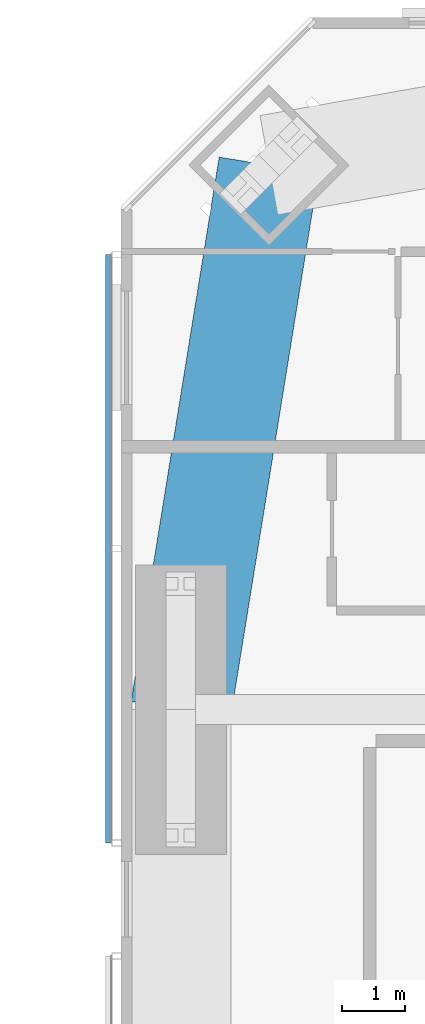
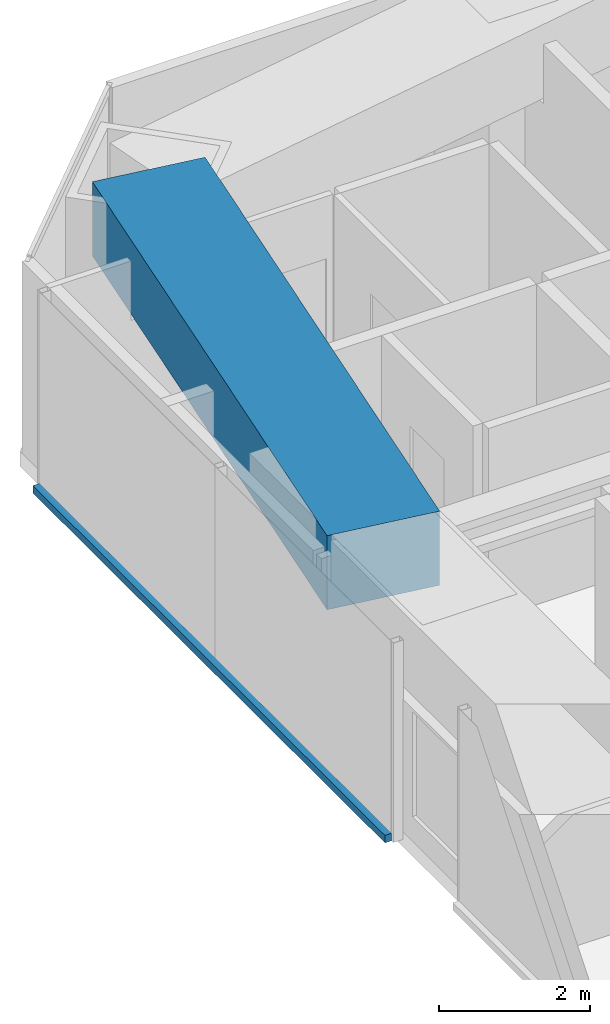
# One storey, part 6 of 23: 1 beam, 1 member, 1 element without a shape of its own.
"""IFC4 building model written with IfcOpenShell, lengths in metres."""

from ifc_helpers import new_model, si_unit, direction, frame, origin, origin_2d, place, context, subcontext, project, spatial, rectangle, extrude, material, material_profile, profile_set, type_object, element, aggregate, save


model = new_model("IFC4")

# Units and contexts
model_context = context("Model", 3, precision=1e-05, world=origin(), true_north=direction((0.0, 1.0)))
body_context = subcontext(model_context, "Body", "Model", "MODEL_VIEW")
ifc_project = project(units=[si_unit("LENGTHUNIT", "METRE"), si_unit("AREAUNIT", "SQUARE_METRE"), si_unit("VOLUMEUNIT", "CUBIC_METRE"), si_unit("PLANEANGLEUNIT", "RADIAN"), si_unit("MASSUNIT", "GRAM", prefix="KILO")], contexts=[model_context])

# Site, building, storey
site_placement = place(None, origin())
site = spatial("IfcSite", under=ifc_project, at=site_placement, CompositionType="ELEMENT")
building_placement = place(site_placement, origin())
building = spatial("IfcBuilding", under=site, at=building_placement, Name="Jalousie Tower", CompositionType="ELEMENT")
storey_placement = place(building_placement, frame((0.0, 0.0, 157.699951171875)))
storey = spatial("IfcBuildingStorey", under=building, at=storey_placement, Name="L42", CompositionType="ELEMENT", Elevation=157.699951171875)

# Beam
ifc_material_1 = material(Name="Concrete f'c 40 MPa", Category="concrete")
ifc_material_profile_1 = material_profile(ifc_material_1, rectangle(XDim=1.60009765625, YDim=1.199951171875, at=origin_2d()), Name="RC 1600x1200")
ifc_profile_set_1 = profile_set([ifc_material_profile_1], Name="Concrete f'c 40 MPa")
beam_type = type_object("IfcBeamType", Name="RC BEAM 1600x1200", PredefinedType="BEAM", material=ifc_profile_set_1)
beam_placement = place(storey_placement, frame((14.348388671875, 33.651611328125, 2.75), z_axis=(-0.159567878256, -0.987186959106, 0.0), x_axis=(0.987186959106, -0.159567878256, 0.0)))
element("IfcBeam", 1, at=beam_placement, inside=storey, type_object=beam_type, Name="Edge band beam 12-13 under L43", PredefinedType="BEAM", context=body_context, shape_type="SweptSolid", body=[
    extrude(rectangle(XDim=1.60009765625, YDim=1.199951171875, at=origin_2d()), origin(), (0.0, 0.0, 1.0), 8.763916015625),
])

# Curtain wall, member
ifc_material_2 = material(Name="Perforated aluminium sheet", Category="aluminium")
curtain_wall_type = type_object("IfcCurtainWallType", Name="SOLAR SCREEN SS-1", PredefinedType="USERDEFINED", material=ifc_material_2)
curtain_wall_placement = place(storey_placement, origin())
curtain_wall = element("IfcCurtainWall", 2, at=curtain_wall_placement, inside=storey, type_object=curtain_wall_type, Name="Solar screen L42", ObjectType="SOLAR SCREEN SS-1", PredefinedType="USERDEFINED")
ifc_material_3 = material(Name="Extruded aluminium screen rail", Category="aluminium")
ifc_material_profile_2 = material_profile(ifc_material_3, rectangle(XDim=0.1015625, YDim=0.1201171875, at=origin_2d()), Name="RAIL 102x120")
ifc_profile_set_2 = profile_set([ifc_material_profile_2], Name="Extruded aluminium screen rail")
member_type = type_object("IfcMemberType", Name="SOLAR SCREEN SS-1 TRANSOM", PredefinedType="USERDEFINED", material=ifc_profile_set_2)
member_placement = place(storey_placement, frame((11.8017578125, 32.228759765625, -0.06005859375), z_axis=(0.0, -1.0, 0.0), x_axis=(1.0, 0.0, 0.0)))
member = element("IfcMember", 3, at=member_placement, type_object=member_type, Name="SS1 rail", ObjectType="TRANSOM", PredefinedType="USERDEFINED", context=body_context, shape_type="SweptSolid", body=[
    extrude(rectangle(XDim=0.1015625, YDim=0.1201171875, at=origin_2d()), origin(), (0.0, 0.0, 1.0), 9.346923828125),
])
aggregate(curtain_wall, [member])

save(model, "model.ifc")
